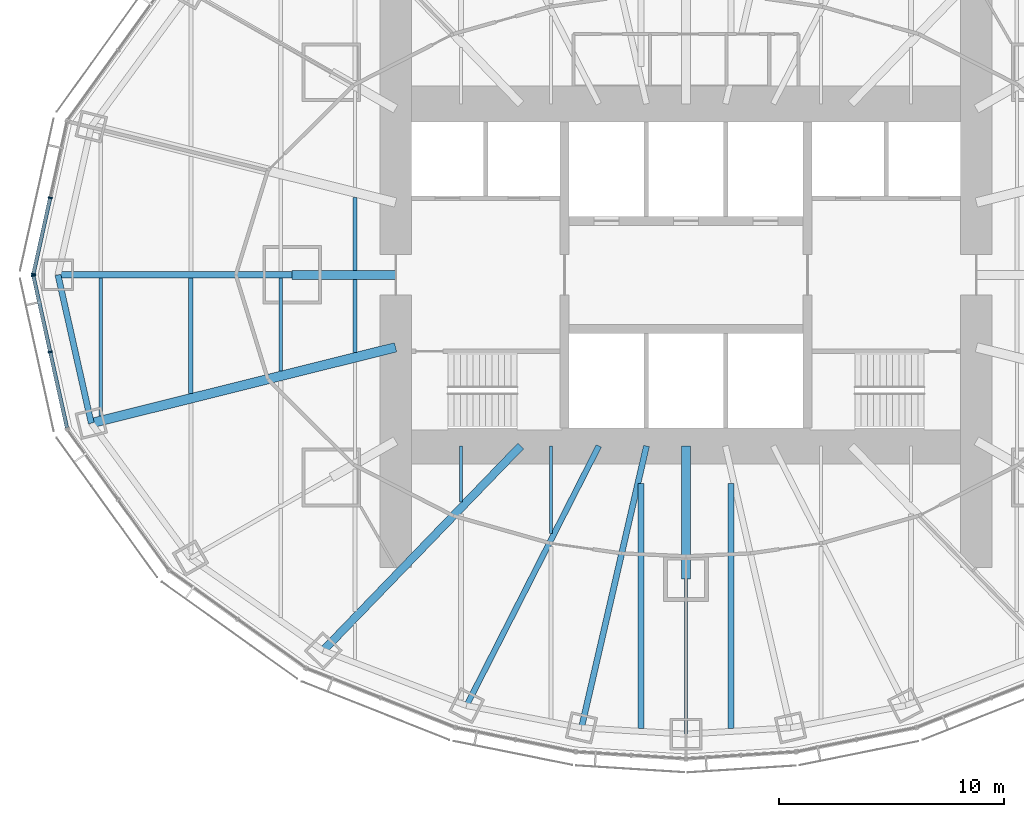
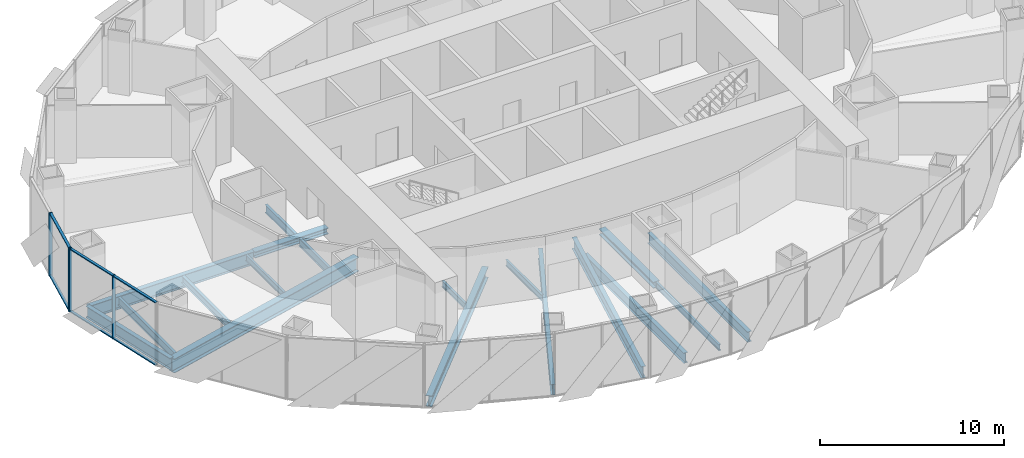
# One storey, part 3 of 18: 18 beams, 10 members, 2 elements without a shape of their own.
"""IFC4 building model written with IfcOpenShell, lengths in metres."""

from ifc_helpers import new_model, si_unit, direction, frame, origin, origin_2d, place, context, subcontext, project, spatial, rectangle, i_section, extrude, material, material_profile, profile_set, type_object, element, aggregate, save


model = new_model("IFC4")

# Units and contexts
model_context = context("Model", 3, precision=1e-05, world=origin(), true_north=direction((0.0, 1.0)))
body_context = subcontext(model_context, "Body", "Model", "MODEL_VIEW")
ifc_project = project(units=[si_unit("LENGTHUNIT", "METRE"), si_unit("AREAUNIT", "SQUARE_METRE"), si_unit("VOLUMEUNIT", "CUBIC_METRE"), si_unit("PLANEANGLEUNIT", "RADIAN"), si_unit("MASSUNIT", "GRAM", prefix="KILO")], contexts=[model_context])

# Site, building, storey
site_placement = place(None, origin())
site = spatial("IfcSite", under=ifc_project, at=site_placement, CompositionType="ELEMENT")
building_placement = place(site_placement, origin())
building = spatial("IfcBuilding", under=site, at=building_placement, Name="Lantaw Convention Tower", CompositionType="ELEMENT")
storey_placement = place(building_placement, frame((0.0, 0.0, 134.199951171875)))
storey = spatial("IfcBuildingStorey", under=building, at=storey_placement, Name="L31", CompositionType="ELEMENT", Elevation=134.199951171875)

# Beams
ifc_material_1 = material(Name="Steel ASTM A992", Category="steel")
ifc_material_profile_1 = material_profile(ifc_material_1, i_section(OverallWidth=0.2666015625, OverallDepth=0.76953125, WebThickness=0.015625, FlangeThickness=0.025390625, FilletRadius=0.0126953125, at=origin_2d()), Name="W30X132")
ifc_profile_set_1 = profile_set([ifc_material_profile_1], Name="Steel ASTM A992")
beam_type_1 = type_object("IfcBeamType", Name="Beam E W30X132", PredefinedType="SPANDREL", material=ifc_profile_set_1)
beam_1_placement = place(storey_placement, frame((-27.89990234375, 0.0, -0.53466796875), z_axis=(0.219211877447, -0.975677279015, 0.0), x_axis=(0.975677279015, 0.219211877447, 0.0)))
element("IfcBeam", 1, at=beam_1_placement, inside=storey, type_object=beam_type_1, Name="Edge beam 13", PredefinedType="SPANDREL", context=body_context, shape_type="SweptSolid", body=[
    extrude(i_section(OverallWidth=0.2666015625, OverallDepth=0.76953125, WebThickness=0.015625, FlangeThickness=0.025390625, FilletRadius=0.0126953125, at=origin_2d()), origin(), (0.0, 0.0, 1.0), 6.75146484375),
])
ifc_material_profile_2 = material_profile(ifc_material_1, i_section(OverallWidth=0.140380859375, OverallDepth=0.40380859375, WebThickness=0.007080078125, FlangeThickness=0.01123046875, FilletRadius=0.01025390625, at=origin_2d()), Name="W16X31")
ifc_profile_set_2 = profile_set([ifc_material_profile_2], Name="Steel ASTM A992")
beam_type_2 = type_object("IfcBeamType", Name="Beam G W16X31", PredefinedType="BEAM", material=ifc_profile_set_2)
beam_2_placement = place(storey_placement, frame((0.0, -13.5, -0.351806640625), z_axis=(0.0, -1.0, 0.0), x_axis=(1.0, 0.0, 0.0)))
element("IfcBeam", 2, at=beam_2_placement, inside=storey, type_object=beam_type_2, Name="Floor girder on ray 19", PredefinedType="BEAM", context=body_context, shape_type="SweptSolid", body=[
    extrude(i_section(OverallWidth=0.140380859375, OverallDepth=0.40380859375, WebThickness=0.007080078125, FlangeThickness=0.01123046875, FilletRadius=0.01025390625, at=origin_2d()), origin(), (0.0, 0.0, 1.0), 6.89990234375),
])
ifc_material_profile_3 = material_profile(ifc_material_1, i_section(OverallWidth=0.25390625, OverallDepth=0.700927734375, WebThickness=0.015380859375, FlangeThickness=0.02783203125, FilletRadius=0.01513671875, at=origin_2d()), Name="W27X129")
ifc_profile_set_3 = profile_set([ifc_material_profile_3], Name="Steel ASTM A992")
beam_type_3 = type_object("IfcBeamType", Name="Beam G W27X129", PredefinedType="BEAM", material=ifc_profile_set_3)
beam_3_placement = place(storey_placement, frame((-3.872314453125, -7.60009765625, -0.50048828125), z_axis=(-0.453991051051, -0.891006243281, 0.0), x_axis=(0.891006243281, -0.453991051051, 0.0)))
element("IfcBeam", 3, at=beam_3_placement, inside=storey, type_object=beam_type_3, Name="Floor girder on ray 17", PredefinedType="BEAM", context=body_context, shape_type="SweptSolid", body=[
    extrude(i_section(OverallWidth=0.25390625, OverallDepth=0.700927734375, WebThickness=0.015380859375, FlangeThickness=0.02783203125, FilletRadius=0.01513671875, at=origin_2d()), origin(), (0.0, 0.0, 1.0), 12.943359375),
])
ifc_material_profile_4 = material_profile(ifc_material_1, i_section(OverallWidth=0.360595703125, OverallDepth=0.72900390625, WebThickness=0.023193359375, FlangeThickness=0.041015625, FilletRadius=0.0126953125, at=origin_2d()), Name="W27X235")
ifc_profile_set_4 = profile_set([ifc_material_profile_4], Name="Steel ASTM A992")
beam_type_4 = type_object("IfcBeamType", Name="Beam G W27X235", PredefinedType="BEAM", material=ifc_profile_set_4)
beam_4_placement = place(storey_placement, frame((-7.33935546875, -7.60009765625, -0.514404296875), z_axis=(-0.694663467407, -0.719334878239, 0.0), x_axis=(0.719334878239, -0.694663467407, 0.0)))
element("IfcBeam", 4, at=beam_4_placement, inside=storey, type_object=beam_type_4, Name="Floor girder on ray 16", PredefinedType="BEAM", context=body_context, shape_type="SweptSolid", body=[
    extrude(i_section(OverallWidth=0.360595703125, OverallDepth=0.72900390625, WebThickness=0.023193359375, FlangeThickness=0.041015625, FilletRadius=0.0126953125, at=origin_2d()), origin(), (0.0, 0.0, 1.0), 12.63671875),
])
ifc_material_profile_5 = material_profile(ifc_material_1, i_section(OverallWidth=0.2666015625, OverallDepth=0.7568359375, WebThickness=0.013916015625, FlangeThickness=0.019287109375, FilletRadius=0.0126953125, at=origin_2d()), Name="W30X108")
ifc_profile_set_5 = profile_set([ifc_material_profile_5], Name="Steel ASTM A992")
beam_type_5 = type_object("IfcBeamType", Name="Beam G W30X108", PredefinedType="BEAM", material=ifc_profile_set_5)
beam_5_placement = place(storey_placement, frame((-1.754638671875, -7.60009765625, -0.5283203125), z_axis=(-0.224944153104, -0.974371658036, 0.0), x_axis=(0.974371658036, -0.224944153104, 0.0)))
element("IfcBeam", 5, at=beam_5_placement, inside=storey, type_object=beam_type_5, Name="Floor girder on ray 18", PredefinedType="BEAM", context=body_context, shape_type="SweptSolid", body=[
    extrude(i_section(OverallWidth=0.2666015625, OverallDepth=0.7568359375, WebThickness=0.013916015625, FlangeThickness=0.019287109375, FilletRadius=0.0126953125, at=origin_2d()), origin(), (0.0, 0.0, 1.0), 12.849365234375),
])
ifc_material_profile_6 = material_profile(ifc_material_1, i_section(OverallWidth=0.2919921875, OverallDepth=0.845703125, WebThickness=0.015380859375, FlangeThickness=0.0244140625, FilletRadius=0.01513671875, at=origin_2d()), Name="W33X141")
ifc_profile_set_6 = profile_set([ifc_material_profile_6], Name="Steel ASTM A992")
beam_type_6 = type_object("IfcBeamType", Name="Beam G W33X141", PredefinedType="BEAM", material=ifc_profile_set_6)
beam_6_placement = place(storey_placement, frame((-17.5, 0.0, -0.57275390625), z_axis=(-1.0, 0.0, 0.0), x_axis=(0.0, -1.0, 0.0)))
element("IfcBeam", 6, at=beam_6_placement, inside=storey, type_object=beam_type_6, Name="Floor girder on ray 13", PredefinedType="BEAM", context=body_context, shape_type="SweptSolid", body=[
    extrude(i_section(OverallWidth=0.2919921875, OverallDepth=0.845703125, WebThickness=0.015380859375, FlangeThickness=0.0244140625, FilletRadius=0.01513671875, at=origin_2d()), origin(), (0.0, 0.0, 1.0), 10.39990234375),
])
ifc_material_profile_7 = material_profile(ifc_material_1, i_section(OverallWidth=0.421630859375, OverallDepth=0.937255859375, WebThickness=0.0224609375, FlangeThickness=0.039794921875, FilletRadius=0.02001953125, at=origin_2d()), Name="W36X282")
ifc_profile_set_7 = profile_set([ifc_material_profile_7], Name="Steel ASTM A992")
beam_type_7 = type_object("IfcBeamType", Name="Beam G W36X282", PredefinedType="BEAM", material=ifc_profile_set_7)
beam_7_placement = place(storey_placement, frame((-12.89990234375, -3.21630859375, -0.61865234375), z_axis=(-0.970296903132, -0.24191717544, 0.0), x_axis=(0.24191717544, -0.970296903132, 0.0)))
element("IfcBeam", 7, at=beam_7_placement, inside=storey, type_object=beam_type_7, Name="Floor girder on ray 14", PredefinedType="BEAM", context=body_context, shape_type="SweptSolid", body=[
    extrude(i_section(OverallWidth=0.421630859375, OverallDepth=0.937255859375, WebThickness=0.0224609375, FlangeThickness=0.039794921875, FilletRadius=0.02001953125, at=origin_2d()), origin(), (0.0, 0.0, 1.0), 13.933837890625),
])
ifc_material_profile_8 = material_profile(ifc_material_1, i_section(OverallWidth=0.40380859375, OverallDepth=0.406494140625, WebThickness=0.027099609375, FlangeThickness=0.043701171875, FilletRadius=0.01513671875, at=origin_2d()), Name="W14X233")
ifc_profile_set_8 = profile_set([ifc_material_profile_8], Name="Steel ASTM A992")
beam_type_8 = type_object("IfcBeamType", Name="Beam GM W14X233", PredefinedType="BEAM", material=ifc_profile_set_8)
beam_8_placement = place(storey_placement, frame((-12.89990234375, 0.0, -0.353271484375), z_axis=(-1.0, 0.0, 0.0), x_axis=(0.0, -1.0, 0.0)))
element("IfcBeam", 8, at=beam_8_placement, inside=storey, type_object=beam_type_8, Name="Core link beam on ray 13", PredefinedType="BEAM", context=body_context, shape_type="SweptSolid", body=[
    extrude(i_section(OverallWidth=0.40380859375, OverallDepth=0.406494140625, WebThickness=0.027099609375, FlangeThickness=0.043701171875, FilletRadius=0.01513671875, at=origin_2d()), origin(), (0.0, 0.0, 1.0), 4.60009765625),
])
beam_9_placement = place(storey_placement, frame((0.0, -7.60009765625, -0.353271484375), z_axis=(0.0, -1.0, 0.0), x_axis=(1.0, 0.0, 0.0)))
element("IfcBeam", 9, at=beam_9_placement, inside=storey, type_object=beam_type_8, Name="Core link beam on ray 19", PredefinedType="BEAM", context=body_context, shape_type="SweptSolid", body=[
    extrude(i_section(OverallWidth=0.40380859375, OverallDepth=0.406494140625, WebThickness=0.027099609375, FlangeThickness=0.043701171875, FilletRadius=0.01513671875, at=origin_2d()), origin(), (0.0, 0.0, 1.0), 5.89990234375),
])
ifc_material_profile_9 = material_profile(ifc_material_1, i_section(OverallWidth=0.140380859375, OverallDepth=0.40380859375, WebThickness=0.007080078125, FlangeThickness=0.01123046875, FilletRadius=0.01025390625, at=origin_2d()), Name="W16X31")
ifc_profile_set_9 = profile_set([ifc_material_profile_9], Name="Steel ASTM A992")
beam_type_9 = type_object("IfcBeamType", Name="Beam J W16X31", PredefinedType="JOIST", material=ifc_profile_set_9)
beam_10_placement = place(storey_placement, frame((-18.0, -4.270751953125, -0.351806640625), z_axis=(0.0, 1.0, 0.0), x_axis=(-1.0, 0.0, 0.0)))
element("IfcBeam", 10, at=beam_10_placement, inside=storey, type_object=beam_type_9, Name="Floor joist", PredefinedType="JOIST", context=body_context, shape_type="SweptSolid", body=[
    extrude(i_section(OverallWidth=0.140380859375, OverallDepth=0.40380859375, WebThickness=0.007080078125, FlangeThickness=0.01123046875, FilletRadius=0.01025390625, at=origin_2d()), origin(), (0.0, 0.0, 1.0), 4.124755859375),
])
beam_11_placement = place(storey_placement, frame((-10.0, -10.095703125, -0.351806640625), z_axis=(0.0, 1.0, 0.0), x_axis=(-1.0, 0.0, 0.0)))
element("IfcBeam", 11, at=beam_11_placement, inside=storey, type_object=beam_type_9, Name="Floor joist", PredefinedType="JOIST", context=body_context, shape_type="SweptSolid", body=[
    extrude(i_section(OverallWidth=0.140380859375, OverallDepth=0.40380859375, WebThickness=0.007080078125, FlangeThickness=0.01123046875, FilletRadius=0.01025390625, at=origin_2d()), origin(), (0.0, 0.0, 1.0), 2.49560546875),
])
beam_12_placement = place(storey_placement, frame((-6.0, -11.495849609375, -0.351806640625), z_axis=(0.0, 1.0, 0.0), x_axis=(-1.0, 0.0, 0.0)))
element("IfcBeam", 12, at=beam_12_placement, inside=storey, type_object=beam_type_9, Name="Floor joist", PredefinedType="JOIST", context=body_context, shape_type="SweptSolid", body=[
    extrude(i_section(OverallWidth=0.140380859375, OverallDepth=0.40380859375, WebThickness=0.007080078125, FlangeThickness=0.01123046875, FilletRadius=0.01025390625, at=origin_2d()), origin(), (0.0, 0.0, 1.0), 3.895751953125),
])
ifc_material_profile_10 = material_profile(ifc_material_1, i_section(OverallWidth=0.1904296875, OverallDepth=0.457275390625, WebThickness=0.009033203125, FlangeThickness=0.014404296875, FilletRadius=0.01025390625, at=origin_2d()), Name="W18X50")
ifc_profile_set_10 = profile_set([ifc_material_profile_10], Name="Steel ASTM A992")
beam_type_10 = type_object("IfcBeamType", Name="Beam J W18X50", PredefinedType="JOIST", material=ifc_profile_set_10)
beam_13_placement = place(storey_placement, frame((-22.0, -5.267822265625, -0.378662109375), z_axis=(0.0, 1.0, 0.0), x_axis=(-1.0, 0.0, 0.0)))
element("IfcBeam", 13, at=beam_13_placement, inside=storey, type_object=beam_type_10, Name="Floor joist", PredefinedType="JOIST", context=body_context, shape_type="SweptSolid", body=[
    extrude(i_section(OverallWidth=0.1904296875, OverallDepth=0.457275390625, WebThickness=0.009033203125, FlangeThickness=0.014404296875, FilletRadius=0.01025390625, at=origin_2d()), origin(), (0.0, 0.0, 1.0), 5.121826171875),
])
ifc_material_profile_11 = material_profile(ifc_material_1, i_section(OverallWidth=0.1650390625, OverallDepth=0.52587890625, WebThickness=0.0087890625, FlangeThickness=0.011474609375, FilletRadius=0.0126953125, at=origin_2d()), Name="W21X44")
ifc_profile_set_11 = profile_set([ifc_material_profile_11], Name="Steel ASTM A992")
beam_type_11 = type_object("IfcBeamType", Name="Beam J W21X44", PredefinedType="JOIST", material=ifc_profile_set_11)
beam_14_placement = place(storey_placement, frame((-26.0, -6.26513671875, -0.412841796875), z_axis=(0.0, 1.0, 0.0), x_axis=(-1.0, 0.0, 0.0)))
element("IfcBeam", 14, at=beam_14_placement, inside=storey, type_object=beam_type_11, Name="Floor joist", PredefinedType="JOIST", context=body_context, shape_type="SweptSolid", body=[
    extrude(i_section(OverallWidth=0.1650390625, OverallDepth=0.52587890625, WebThickness=0.0087890625, FlangeThickness=0.011474609375, FilletRadius=0.0126953125, at=origin_2d()), origin(), (0.0, 0.0, 1.0), 6.119140625),
])
ifc_material_profile_12 = material_profile(ifc_material_1, i_section(OverallWidth=0.165771484375, OverallDepth=0.5283203125, WebThickness=0.009765625, FlangeThickness=0.013671875, FilletRadius=0.012939453125, at=origin_2d()), Name="W21X50")
ifc_profile_set_12 = profile_set([ifc_material_profile_12], Name="Steel ASTM A992")
beam_type_12 = type_object("IfcBeamType", Name="Beam J W21X50", PredefinedType="JOIST", material=ifc_profile_set_12)
for number, where, z_axis, x_axis, name in (
    (15, (-14.699951171875, -3.44775390625, -0.4140625), (0.0, 1.0, 0.0), (-1.0, 0.0, 0.0), "Floor joist"),
    (16, (-14.699951171875, 0.201904296875, -0.4140625), (0.0, 1.0, 0.0), (-1.0, 0.0, 0.0), "Floor joist"),
):
    element("IfcBeam", number, at=place(storey_placement, frame(where, z_axis=z_axis, x_axis=x_axis)), inside=storey, type_object=beam_type_12, Name=name, PredefinedType="JOIST", context=body_context, shape_type="SweptSolid", body=[
        extrude(i_section(OverallWidth=0.165771484375, OverallDepth=0.5283203125, WebThickness=0.009765625, FlangeThickness=0.013671875, FilletRadius=0.012939453125, at=origin_2d()), origin(), (0.0, 0.0, 1.0), 3.245849609375),
    ])
ifc_material_profile_13 = material_profile(ifc_material_1, i_section(OverallWidth=0.25390625, OverallDepth=0.683349609375, WebThickness=0.012451171875, FlangeThickness=0.01904296875, FilletRadius=0.01513671875, at=origin_2d()), Name="W27X94")
ifc_profile_set_13 = profile_set([ifc_material_profile_13], Name="Steel ASTM A992")
beam_type_13 = type_object("IfcBeamType", Name="Beam J W27X94", PredefinedType="JOIST", material=ifc_profile_set_13)
for number, where, z_axis, x_axis, name in (
    (17, (-2.0, -20.145751953125, -0.49169921875), (0.0, 1.0, 0.0), (-1.0, 0.0, 0.0), "Floor joist"),
    (18, (2.0, -20.145751953125, -0.49169921875), (0.0, 1.0, 0.0), (-1.0, 0.0, 0.0), "Floor joist"),
):
    element("IfcBeam", number, at=place(storey_placement, frame(where, z_axis=z_axis, x_axis=x_axis)), inside=storey, type_object=beam_type_13, Name=name, PredefinedType="JOIST", context=body_context, shape_type="SweptSolid", body=[
        extrude(i_section(OverallWidth=0.25390625, OverallDepth=0.683349609375, WebThickness=0.012451171875, FlangeThickness=0.01904296875, FilletRadius=0.01513671875, at=origin_2d()), origin(), (0.0, 0.0, 1.0), 10.889892578125),
    ])

# Curtain wall, members
ifc_material_2 = material(Name="Aluminium framed curtain wall", Category="aluminium")
curtain_wall_type = type_object("IfcCurtainWallType", Name="Office curtain wall low rise, pale aluminium", PredefinedType="USERDEFINED", material=ifc_material_2)
curtain_wall_1_placement = place(storey_placement, origin())
curtain_wall_1 = element("IfcCurtainWall", 19, at=curtain_wall_1_placement, inside=storey, type_object=curtain_wall_type, Name="Office curtain wall low rise, pale aluminium L31", ObjectType="UNITISED CURTAIN WALL", PredefinedType="USERDEFINED")
ifc_material_3 = material(Name="Aluminium 6063-T6", Category="aluminium")
ifc_material_profile_14 = material_profile(ifc_material_3, rectangle(XDim=0.199951171875, YDim=0.06494140625, at=origin_2d()), Name="CW-O1 mullion 65x200")
ifc_profile_set_14 = profile_set([ifc_material_profile_14], Name="Aluminium 6063-T6")
member_type_1 = type_object("IfcMemberType", Name="CW-O1 mullion 65x200", PredefinedType="MULLION", material=ifc_profile_set_14)
member_1_placement = place(storey_placement, frame((-28.24365234375, 3.4267578125, -0.14990234375), z_axis=(0.0, 0.0, 1.0), x_axis=(0.9764936509, -0.215546166174, 0.0)))
member_1 = element("IfcMember", 20, at=member_1_placement, type_object=member_type_1, Name="CW-O1 mullion 2", PredefinedType="MULLION", context=body_context, shape_type="SweptSolid", body=[
    extrude(rectangle(XDim=0.199951171875, YDim=0.06494140625, at=origin_2d()), origin(), (0.0, 0.0, 1.0), 4.199951171875),
])
member_2_placement = place(storey_placement, frame((-28.992919921875, 0.03173828125, -0.14990234375), z_axis=(0.0, 0.0, 1.0), x_axis=(0.9764936509, -0.215546166174, 0.0)))
member_2 = element("IfcMember", 21, at=member_2_placement, type_object=member_type_1, Name="CW-O1 mullion 3", PredefinedType="MULLION", context=body_context, shape_type="SweptSolid", body=[
    extrude(rectangle(XDim=0.199951171875, YDim=0.06494140625, at=origin_2d()), origin(), (0.0, 0.0, 1.0), 4.199951171875),
])

curtain_wall_2_placement = place(storey_placement, origin())
curtain_wall_2 = element("IfcCurtainWall", 22, at=curtain_wall_2_placement, inside=storey, type_object=curtain_wall_type, Name="Office curtain wall low rise, pale aluminium L31", ObjectType="UNITISED CURTAIN WALL", PredefinedType="USERDEFINED")
member_3_placement = place(storey_placement, frame((-28.992919921875, -0.03173828125, -0.14990234375), z_axis=(0.0, 0.0, 1.0), x_axis=(0.9764936509, 0.215546166174, 0.0)))
member_3 = element("IfcMember", 23, at=member_3_placement, type_object=member_type_1, Name="CW-O1 mullion 1", PredefinedType="MULLION", context=body_context, shape_type="SweptSolid", body=[
    extrude(rectangle(XDim=0.199951171875, YDim=0.06494140625, at=origin_2d()), origin(), (0.0, 0.0, 1.0), 4.199951171875),
])
member_4_placement = place(storey_placement, frame((-28.24365234375, -3.4267578125, -0.14990234375), z_axis=(0.0, 0.0, 1.0), x_axis=(0.9764936509, 0.215546166174, 0.0)))
member_4 = element("IfcMember", 24, at=member_4_placement, type_object=member_type_1, Name="CW-O1 mullion 2", PredefinedType="MULLION", context=body_context, shape_type="SweptSolid", body=[
    extrude(rectangle(XDim=0.199951171875, YDim=0.06494140625, at=origin_2d()), origin(), (0.0, 0.0, 1.0), 4.199951171875),
])

# Member
ifc_material_profile_15 = material_profile(ifc_material_3, rectangle(XDim=0.159912109375, YDim=0.06494140625, at=origin_2d()), Name="CW-O1 transom 65x160")
ifc_profile_set_15 = profile_set([ifc_material_profile_15], Name="Aluminium 6063-T6")
member_type_2 = type_object("IfcMemberType", Name="CW-O1 transom 65x160", PredefinedType="USERDEFINED", material=ifc_profile_set_15)
member_5_placement = place(storey_placement, frame((-28.250732421875, 3.39501953125, -0.117431640625), z_axis=(-0.215536096386, -0.976495873598, 0.0), x_axis=(0.976495873598, -0.215536096386, 0.0)))
member_5 = element("IfcMember", 25, at=member_5_placement, type_object=member_type_2, Name="CW-O1 transom 2.1", ObjectType="TRANSOM", PredefinedType="USERDEFINED", context=body_context, shape_type="SweptSolid", body=[
    extrude(rectangle(XDim=0.159912109375, YDim=0.06494140625, at=origin_2d()), origin(), (0.0, 0.0, 1.0), 3.41162109375),
])

member_6_placement = place(storey_placement, frame((-28.250732421875, 3.39501953125, 4.017578125), z_axis=(-0.215536096386, -0.976495873598, 0.0), x_axis=(0.976495873598, -0.215536096386, 0.0)))
member_6 = element("IfcMember", 26, at=member_6_placement, type_object=member_type_2, Name="CW-O1 transom 2.2", ObjectType="TRANSOM", PredefinedType="USERDEFINED", context=body_context, shape_type="SweptSolid", body=[
    extrude(rectangle(XDim=0.159912109375, YDim=0.06494140625, at=origin_2d()), origin(), (0.0, 0.0, 1.0), 3.41162109375),
])

aggregate(curtain_wall_1, [member_1, member_2, member_5, member_6])

member_7_placement = place(storey_placement, frame((-28.986083984375, -0.0634765625, -0.117431640625), z_axis=(0.215536096386, -0.976495873598, 0.0), x_axis=(0.976495873598, 0.215536096386, 0.0)))
member_7 = element("IfcMember", 27, at=member_7_placement, type_object=member_type_2, Name="CW-O1 transom 1.1", ObjectType="TRANSOM", PredefinedType="USERDEFINED", context=body_context, shape_type="SweptSolid", body=[
    extrude(rectangle(XDim=0.159912109375, YDim=0.06494140625, at=origin_2d()), origin(), (0.0, 0.0, 1.0), 3.41162109375),
])

member_8_placement = place(storey_placement, frame((-28.986083984375, -0.0634765625, 4.017578125), z_axis=(0.215536096386, -0.976495873598, 0.0), x_axis=(0.976495873598, 0.215536096386, 0.0)))
member_8 = element("IfcMember", 28, at=member_8_placement, type_object=member_type_2, Name="CW-O1 transom 1.2", ObjectType="TRANSOM", PredefinedType="USERDEFINED", context=body_context, shape_type="SweptSolid", body=[
    extrude(rectangle(XDim=0.159912109375, YDim=0.06494140625, at=origin_2d()), origin(), (0.0, 0.0, 1.0), 3.41162109375),
])

member_9_placement = place(storey_placement, frame((-28.236572265625, -3.45849609375, -0.117431640625), z_axis=(0.21555115847, -0.976492548913, 0.0), x_axis=(0.976492548913, 0.21555115847, 0.0)))
member_9 = element("IfcMember", 29, at=member_9_placement, type_object=member_type_2, Name="CW-O1 transom 2.1", ObjectType="TRANSOM", PredefinedType="USERDEFINED", context=body_context, shape_type="SweptSolid", body=[
    extrude(rectangle(XDim=0.159912109375, YDim=0.06494140625, at=origin_2d()), origin(), (0.0, 0.0, 1.0), 3.411376953125),
])

member_10_placement = place(storey_placement, frame((-28.236572265625, -3.45849609375, 4.017578125), z_axis=(0.21555115847, -0.976492548913, 0.0), x_axis=(0.976492548913, 0.21555115847, 0.0)))
member_10 = element("IfcMember", 30, at=member_10_placement, type_object=member_type_2, Name="CW-O1 transom 2.2", ObjectType="TRANSOM", PredefinedType="USERDEFINED", context=body_context, shape_type="SweptSolid", body=[
    extrude(rectangle(XDim=0.159912109375, YDim=0.06494140625, at=origin_2d()), origin(), (0.0, 0.0, 1.0), 3.411376953125),
])

aggregate(curtain_wall_2, [member_3, member_4, member_7, member_8, member_9, member_10])

save(model, "model.ifc")
